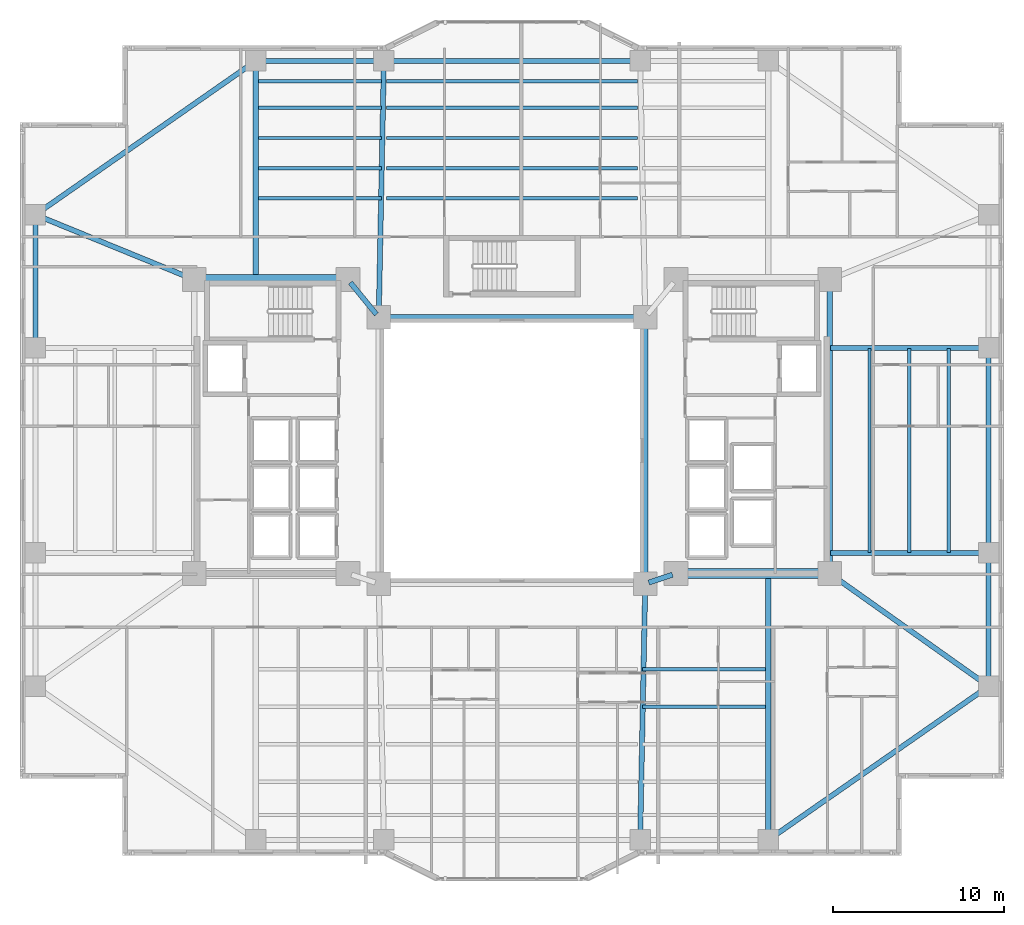
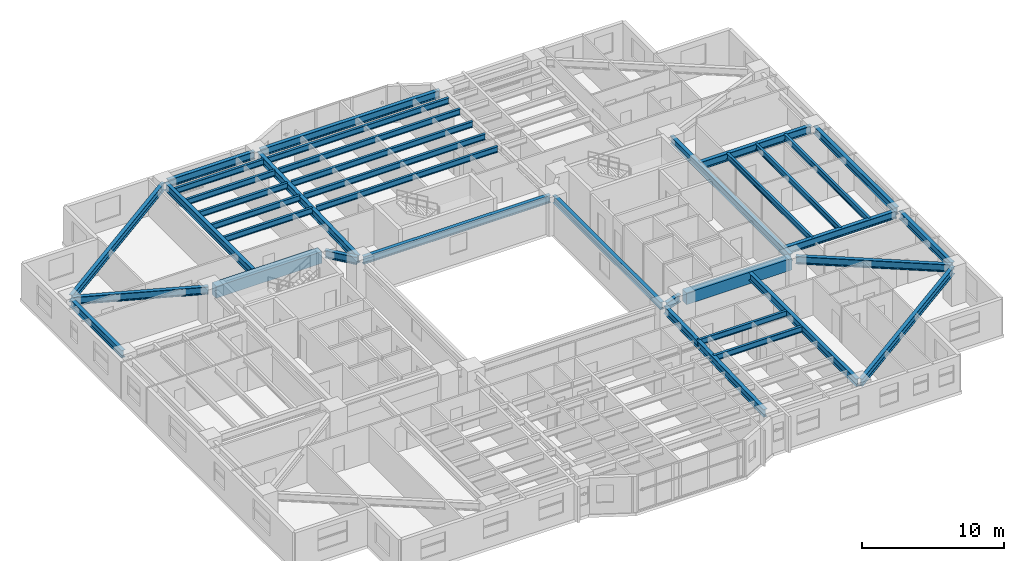
# One storey, part 5 of 21: 37 beams.
"""IFC4 building model written with IfcOpenShell, lengths in metres."""

from ifc_helpers import new_model, si_unit, direction, frame, origin, origin_2d, place, context, subcontext, project, spatial, rectangle, i_section, extrude, material, material_profile, profile_set, type_object, element, save


model = new_model("IFC4")

# Units and contexts
model_context = context("Model", 3, precision=1e-05, world=origin(), true_north=direction((0.0, 1.0)))
body_context = subcontext(model_context, "Body", "Model", "MODEL_VIEW")
ifc_project = project(units=[si_unit("LENGTHUNIT", "METRE"), si_unit("AREAUNIT", "SQUARE_METRE"), si_unit("VOLUMEUNIT", "CUBIC_METRE"), si_unit("PLANEANGLEUNIT", "RADIAN"), si_unit("MASSUNIT", "GRAM", prefix="KILO")], contexts=[model_context])

# Site, building, storey
site_placement = place(None, origin())
site = spatial("IfcSite", under=ifc_project, at=site_placement, CompositionType="ELEMENT")
building_placement = place(site_placement, origin())
building = spatial("IfcBuilding", under=site, at=building_placement, Name="Tarnavaz Court Tower", CompositionType="ELEMENT")
storey_placement = place(building_placement, frame((0.0, 0.0, 44.10009765625)))
storey = spatial("IfcBuildingStorey", under=building, at=storey_placement, Name="L11", CompositionType="ELEMENT", Elevation=44.10009765625)

# Beams
ifc_material_1 = material(Name="Concrete C60/75", Category="concrete")
ifc_material_profile_1 = material_profile(ifc_material_1, rectangle(XDim=0.60009765625, YDim=1.0, at=origin_2d()), Name="RC 600X1000")
ifc_profile_set_1 = profile_set([ifc_material_profile_1], Name="Concrete C60/75")
beam_type_1 = type_object("IfcBeamType", Name="BM-CB1000", PredefinedType="LINTEL", material=ifc_profile_set_1)
for number, where, z_axis, x_axis, name in (
    (1, (-18.3798828125, 10.0, 2.599853515625), (1.0, 0.0, 0.0), (0.0, 1.0, 0.0), "L11 Beam IN-CW-NO-CW-NI"),
    (2, (18.3798828125, -7.199951171875, 2.599853515625), (-1.0, 0.0, 0.0), (0.0, -1.0, 0.0), "L11 Beam IN-CE-SO-CE-SI"),
):
    element("IfcBeam", number, at=place(storey_placement, frame(where, z_axis=z_axis, x_axis=x_axis)), inside=storey, type_object=beam_type_1, Name=name, PredefinedType="LINTEL", context=body_context, shape_type="SweptSolid", body=[
        extrude(rectangle(XDim=0.60009765625, YDim=1.0, at=origin_2d()), origin(), (0.0, 0.0, 1.0), 8.559814453125),
    ])
ifc_material_2 = material(Name="Steel S355", Category="steel")
ifc_material_profile_2 = material_profile(ifc_material_2, i_section(OverallWidth=0.300048828125, OverallDepth=0.64990234375, WebThickness=0.01611328125, FlangeThickness=0.031005859375, FilletRadius=0.027099609375, at=origin_2d()), Name="HEB 650")
ifc_profile_set_2 = profile_set([ifc_material_profile_2], Name="Steel S355")
beam_type_2 = type_object("IfcBeamType", Name="BM-G-HEB650", PredefinedType="USERDEFINED", material=ifc_profile_set_2)
beam_1_placement = place(storey_placement, frame((9.391357421875, -7.26953125, 2.77490234375), z_axis=(-0.948666544706, -0.316278021615, 0.0), x_axis=(0.316278021615, -0.948666544706, 0.0)))
element("IfcBeam", 3, at=beam_1_placement, inside=storey, type_object=beam_type_2, Name="L11 Beam IN-CE-SI-IW-SE", ObjectType="GIRDER", PredefinedType="USERDEFINED", context=body_context, shape_type="SweptSolid", body=[
    extrude(i_section(OverallWidth=0.300048828125, OverallDepth=0.64990234375, WebThickness=0.01611328125, FlangeThickness=0.031005859375, FilletRadius=0.027099609375, at=origin_2d()), origin(), (0.0, 0.0, 1.0), 1.457275390625),
])
beam_2_placement = place(storey_placement, frame((-9.460693359375, 9.82958984375, 2.77490234375), z_axis=(0.633282058357, -0.773921077735, 0.0), x_axis=(0.773921077735, 0.633282058357, 0.0)))
element("IfcBeam", 4, at=beam_2_placement, inside=storey, type_object=beam_type_2, Name="L11 Beam IN-CW-NI-IW-NW", ObjectType="GIRDER", PredefinedType="USERDEFINED", context=body_context, shape_type="SweptSolid", body=[
    extrude(i_section(OverallWidth=0.300048828125, OverallDepth=0.64990234375, WebThickness=0.01611328125, FlangeThickness=0.031005859375, FilletRadius=0.027099609375, at=origin_2d()), origin(), (0.0, 0.0, 1.0), 2.402587890625),
])
beam_3_placement = place(storey_placement, frame((18.60009765625, -6.97998046875, 2.77490234375), z_axis=(0.0, 1.0, 0.0), x_axis=(-1.0, 0.0, 0.0)))
element("IfcBeam", 5, at=beam_3_placement, inside=storey, type_object=beam_type_2, Name="L11 Beam IN-CE-SO-CE-NO", ObjectType="GIRDER", PredefinedType="USERDEFINED", context=body_context, shape_type="SweptSolid", body=[
    extrude(i_section(OverallWidth=0.300048828125, OverallDepth=0.64990234375, WebThickness=0.01611328125, FlangeThickness=0.031005859375, FilletRadius=0.027099609375, at=origin_2d()), origin(), (0.0, 0.0, 1.0), 16.760009765625),
])
beam_4_placement = place(storey_placement, frame((-15.0, 10.0400390625, 2.77490234375), z_axis=(0.0, 1.0, 0.0), x_axis=(-1.0, 0.0, 0.0)))
element("IfcBeam", 6, at=beam_4_placement, inside=storey, type_object=beam_type_2, Name="L11 Beam RG-01", ObjectType="GIRDER", PredefinedType="USERDEFINED", context=body_context, shape_type="SweptSolid", body=[
    extrude(i_section(OverallWidth=0.300048828125, OverallDepth=0.64990234375, WebThickness=0.01611328125, FlangeThickness=0.031005859375, FilletRadius=0.027099609375, at=origin_2d()), origin(), (0.0, 0.0, 1.0), 12.5400390625),
])
for number, where, z_axis, x_axis, name in (
    (7, (-7.795654296875, 8.02001953125, 2.77490234375), (0.020000023066, 0.999799979535, 0.0), (-0.999799979535, 0.020000023066, 0.0), "L11 Beam RG-02"),
    (8, (7.795654296875, -8.02001953125, 2.77490234375), (-0.020000023066, -0.999799979535, 0.0), (0.999799979535, -0.020000023066, 0.0), "L11 Beam RG-07"),
):
    element("IfcBeam", number, at=place(storey_placement, frame(where, z_axis=z_axis, x_axis=x_axis)), inside=storey, type_object=beam_type_2, Name=name, ObjectType="GIRDER", PredefinedType="USERDEFINED", context=body_context, shape_type="SweptSolid", body=[
        extrude(i_section(OverallWidth=0.300048828125, OverallDepth=0.64990234375, WebThickness=0.01611328125, FlangeThickness=0.031005859375, FilletRadius=0.027099609375, at=origin_2d()), origin(), (0.0, 0.0, 1.0), 14.56298828125),
    ])
beam_5_placement = place(storey_placement, frame((15.0, -7.239990234375, 2.77490234375), z_axis=(0.0, -1.0, 0.0), x_axis=(1.0, 0.0, 0.0)))
element("IfcBeam", 9, at=beam_5_placement, inside=storey, type_object=beam_type_2, Name="L11 Beam RG-08", ObjectType="GIRDER", PredefinedType="USERDEFINED", context=body_context, shape_type="SweptSolid", body=[
    extrude(i_section(OverallWidth=0.300048828125, OverallDepth=0.64990234375, WebThickness=0.01611328125, FlangeThickness=0.031005859375, FilletRadius=0.027099609375, at=origin_2d()), origin(), (0.0, 0.0, 1.0), 15.340087890625),
])
for number, where, z_axis, x_axis, name in (
    (10, (18.639892578125, -6.0, 2.77490234375), (1.0, 0.0, 0.0), (0.0, 1.0, 0.0), "L11 Beam RG-09"),
    (11, (18.639892578125, 6.0, 2.77490234375), (1.0, 0.0, 0.0), (0.0, 1.0, 0.0), "L11 Beam RG-10"),
):
    element("IfcBeam", number, at=place(storey_placement, frame(where, z_axis=z_axis, x_axis=x_axis)), inside=storey, type_object=beam_type_2, Name=name, ObjectType="GIRDER", PredefinedType="USERDEFINED", context=body_context, shape_type="SweptSolid", body=[
        extrude(i_section(OverallWidth=0.300048828125, OverallDepth=0.64990234375, WebThickness=0.01611328125, FlangeThickness=0.031005859375, FilletRadius=0.027099609375, at=origin_2d()), origin(), (0.0, 0.0, 1.0), 9.0400390625),
    ])
beam_6_placement = place(storey_placement, frame((18.779296875, -7.327392578125, 2.77490234375), z_axis=(0.815520027245, -0.578728852886, 0.0), x_axis=(0.578728852886, 0.815520027245, 0.0)))
element("IfcBeam", 12, at=beam_6_placement, inside=storey, type_object=beam_type_2, Name="L11 Beam RG-11", ObjectType="GIRDER", PredefinedType="USERDEFINED", context=body_context, shape_type="SweptSolid", body=[
    extrude(i_section(OverallWidth=0.300048828125, OverallDepth=0.64990234375, WebThickness=0.01611328125, FlangeThickness=0.031005859375, FilletRadius=0.027099609375, at=origin_2d()), origin(), (0.0, 0.0, 1.0), 10.964111328125),
])
beam_7_placement = place(storey_placement, frame((-18.8037109375, 10.083251953125, 2.77490234375), z_axis=(-0.925704761705, 0.378246869329, 0.0), x_axis=(-0.378246869329, -0.925704761705, 0.0)))
element("IfcBeam", 13, at=beam_7_placement, inside=storey, type_object=beam_type_2, Name="L11 Beam RG-16", ObjectType="GIRDER", PredefinedType="USERDEFINED", context=body_context, shape_type="SweptSolid", body=[
    extrude(i_section(OverallWidth=0.300048828125, OverallDepth=0.64990234375, WebThickness=0.01611328125, FlangeThickness=0.031005859375, FilletRadius=0.027099609375, at=origin_2d()), origin(), (0.0, 0.0, 1.0), 9.606201171875),
])
ifc_material_profile_3 = material_profile(ifc_material_2, i_section(OverallWidth=0.199951171875, OverallDepth=0.5, WebThickness=0.01025390625, FlangeThickness=0.01611328125, FilletRadius=0.02099609375, at=origin_2d()), Name="IPE 500")
ifc_profile_set_3 = profile_set([ifc_material_profile_3], Name="Steel S355")
beam_type_3 = type_object("IfcBeamType", Name="BM-J-IPE500", PredefinedType="JOIST", material=ifc_profile_set_3)
beam_8_placement = place(storey_placement, frame((-14.85009765625, 14.763916015625, 2.849853515625), z_axis=(1.0, 0.0, 0.0), x_axis=(0.0, 1.0, 0.0)))
element("IfcBeam", 14, at=beam_8_placement, inside=storey, type_object=beam_type_3, Name="L11 Beam JN1-1", PredefinedType="JOIST", context=body_context, shape_type="SweptSolid", body=[
    extrude(i_section(OverallWidth=0.199951171875, OverallDepth=0.5, WebThickness=0.01025390625, FlangeThickness=0.01611328125, FilletRadius=0.02099609375, at=origin_2d()), origin(), (0.0, 0.0, 1.0), 7.2001953125),
])
beam_9_placement = place(storey_placement, frame((-7.35009765625, 14.763916015625, 2.849853515625), z_axis=(1.0, 0.0, 0.0), x_axis=(0.0, 1.0, 0.0)))
element("IfcBeam", 15, at=beam_9_placement, inside=storey, type_object=beam_type_3, Name="L11 Beam JN1-2", PredefinedType="JOIST", context=body_context, shape_type="SweptSolid", body=[
    extrude(i_section(OverallWidth=0.199951171875, OverallDepth=0.5, WebThickness=0.01025390625, FlangeThickness=0.01611328125, FilletRadius=0.02099609375, at=origin_2d()), origin(), (0.0, 0.0, 1.0), 14.7001953125),
])
for number, where, z_axis, x_axis, name in (
    (16, (7.64990234375, -12.7958984375, 2.849853515625), (1.0, 0.0, 0.0), (0.0, 1.0, 0.0), "L11 Beam JS1-3"),
    (17, (-14.85009765625, 16.528076171875, 2.849853515625), (1.0, 0.0, 0.0), (0.0, 1.0, 0.0), "L11 Beam JN2-1"),
):
    element("IfcBeam", number, at=place(storey_placement, frame(where, z_axis=z_axis, x_axis=x_axis)), inside=storey, type_object=beam_type_3, Name=name, PredefinedType="JOIST", context=body_context, shape_type="SweptSolid", body=[
        extrude(i_section(OverallWidth=0.199951171875, OverallDepth=0.5, WebThickness=0.01025390625, FlangeThickness=0.01611328125, FilletRadius=0.02099609375, at=origin_2d()), origin(), (0.0, 0.0, 1.0), 7.2001953125),
    ])
beam_10_placement = place(storey_placement, frame((-7.35009765625, 16.528076171875, 2.849853515625), z_axis=(1.0, 0.0, 0.0), x_axis=(0.0, 1.0, 0.0)))
element("IfcBeam", 18, at=beam_10_placement, inside=storey, type_object=beam_type_3, Name="L11 Beam JN2-2", PredefinedType="JOIST", context=body_context, shape_type="SweptSolid", body=[
    extrude(i_section(OverallWidth=0.199951171875, OverallDepth=0.5, WebThickness=0.01025390625, FlangeThickness=0.01611328125, FilletRadius=0.02099609375, at=origin_2d()), origin(), (0.0, 0.0, 1.0), 14.7001953125),
])
for number, where, z_axis, x_axis, name in (
    (19, (7.64990234375, -14.991943359375, 2.849853515625), (1.0, 0.0, 0.0), (0.0, 1.0, 0.0), "L11 Beam JS2-3"),
    (20, (-14.85009765625, 18.2919921875, 2.849853515625), (1.0, 0.0, 0.0), (0.0, 1.0, 0.0), "L11 Beam JN3-1"),
):
    element("IfcBeam", number, at=place(storey_placement, frame(where, z_axis=z_axis, x_axis=x_axis)), inside=storey, type_object=beam_type_3, Name=name, PredefinedType="JOIST", context=body_context, shape_type="SweptSolid", body=[
        extrude(i_section(OverallWidth=0.199951171875, OverallDepth=0.5, WebThickness=0.01025390625, FlangeThickness=0.01611328125, FilletRadius=0.02099609375, at=origin_2d()), origin(), (0.0, 0.0, 1.0), 7.2001953125),
    ])
beam_11_placement = place(storey_placement, frame((-7.35009765625, 18.2919921875, 2.849853515625), z_axis=(1.0, 0.0, 0.0), x_axis=(0.0, 1.0, 0.0)))
element("IfcBeam", 21, at=beam_11_placement, inside=storey, type_object=beam_type_3, Name="L11 Beam JN3-2", PredefinedType="JOIST", context=body_context, shape_type="SweptSolid", body=[
    extrude(i_section(OverallWidth=0.199951171875, OverallDepth=0.5, WebThickness=0.01025390625, FlangeThickness=0.01611328125, FilletRadius=0.02099609375, at=origin_2d()), origin(), (0.0, 0.0, 1.0), 14.7001953125),
])
beam_12_placement = place(storey_placement, frame((-14.85009765625, 20.055908203125, 2.849853515625), z_axis=(1.0, 0.0, 0.0), x_axis=(0.0, 1.0, 0.0)))
element("IfcBeam", 22, at=beam_12_placement, inside=storey, type_object=beam_type_3, Name="L11 Beam JN4-1", PredefinedType="JOIST", context=body_context, shape_type="SweptSolid", body=[
    extrude(i_section(OverallWidth=0.199951171875, OverallDepth=0.5, WebThickness=0.01025390625, FlangeThickness=0.01611328125, FilletRadius=0.02099609375, at=origin_2d()), origin(), (0.0, 0.0, 1.0), 7.2001953125),
])
beam_13_placement = place(storey_placement, frame((-7.35009765625, 20.055908203125, 2.849853515625), z_axis=(1.0, 0.0, 0.0), x_axis=(0.0, 1.0, 0.0)))
element("IfcBeam", 23, at=beam_13_placement, inside=storey, type_object=beam_type_3, Name="L11 Beam JN4-2", PredefinedType="JOIST", context=body_context, shape_type="SweptSolid", body=[
    extrude(i_section(OverallWidth=0.199951171875, OverallDepth=0.5, WebThickness=0.01025390625, FlangeThickness=0.01611328125, FilletRadius=0.02099609375, at=origin_2d()), origin(), (0.0, 0.0, 1.0), 14.7001953125),
])
beam_14_placement = place(storey_placement, frame((-14.85009765625, 21.6240234375, 2.849853515625), z_axis=(1.0, 0.0, 0.0), x_axis=(0.0, 1.0, 0.0)))
element("IfcBeam", 24, at=beam_14_placement, inside=storey, type_object=beam_type_3, Name="L11 Beam JN5-1", PredefinedType="JOIST", context=body_context, shape_type="SweptSolid", body=[
    extrude(i_section(OverallWidth=0.199951171875, OverallDepth=0.5, WebThickness=0.01025390625, FlangeThickness=0.01611328125, FilletRadius=0.02099609375, at=origin_2d()), origin(), (0.0, 0.0, 1.0), 7.2001953125),
])
beam_15_placement = place(storey_placement, frame((-7.35009765625, 21.6240234375, 2.849853515625), z_axis=(1.0, 0.0, 0.0), x_axis=(0.0, 1.0, 0.0)))
element("IfcBeam", 25, at=beam_15_placement, inside=storey, type_object=beam_type_3, Name="L11 Beam JN5-2", PredefinedType="JOIST", context=body_context, shape_type="SweptSolid", body=[
    extrude(i_section(OverallWidth=0.199951171875, OverallDepth=0.5, WebThickness=0.01025390625, FlangeThickness=0.01611328125, FilletRadius=0.02099609375, at=origin_2d()), origin(), (0.0, 0.0, 1.0), 14.7001953125),
])
for number, where, z_axis, x_axis, name in (
    (26, (20.925048828125, -5.9599609375, 2.849853515625), (0.0, 1.0, 0.0), (-1.0, 0.0, 0.0), "L11 Beam JE1"),
    (27, (23.25, -5.9599609375, 2.849853515625), (0.0, 1.0, 0.0), (-1.0, 0.0, 0.0), "L11 Beam JE2"),
    (28, (25.574951171875, -5.9599609375, 2.849853515625), (0.0, 1.0, 0.0), (-1.0, 0.0, 0.0), "L11 Beam JE3"),
):
    element("IfcBeam", number, at=place(storey_placement, frame(where, z_axis=z_axis, x_axis=x_axis)), inside=storey, type_object=beam_type_3, Name=name, PredefinedType="JOIST", context=body_context, shape_type="SweptSolid", body=[
        extrude(i_section(OverallWidth=0.199951171875, OverallDepth=0.5, WebThickness=0.01025390625, FlangeThickness=0.01611328125, FilletRadius=0.02099609375, at=origin_2d()), origin(), (0.0, 0.0, 1.0), 11.919921875),
    ])
ifc_material_profile_4 = material_profile(ifc_material_2, i_section(OverallWidth=0.300048828125, OverallDepth=0.639892578125, WebThickness=0.013427734375, FlangeThickness=0.02587890625, FilletRadius=0.027099609375, at=origin_2d()), Name="HEA 650")
ifc_profile_set_4 = profile_set([ifc_material_profile_4], Name="Steel S355")
beam_type_4 = type_object("IfcBeamType", Name="BM-SP-HEA650", PredefinedType="SPANDREL", material=ifc_profile_set_4)
for number, where, z_axis, x_axis, name in (
    (29, (-7.580078125, 7.800048828125, 2.77978515625), (1.0, 0.0, 0.0), (0.0, 1.0, 0.0), "L11 Beam IN-IW-NW-IW-NE"),
    (30, (7.800048828125, -7.580078125, 2.77978515625), (0.0, 1.0, 0.0), (-1.0, 0.0, 0.0), "L11 Beam IN-IW-SE-IW-NE"),
):
    element("IfcBeam", number, at=place(storey_placement, frame(where, z_axis=z_axis, x_axis=x_axis)), inside=storey, type_object=beam_type_4, Name=name, PredefinedType="SPANDREL", context=body_context, shape_type="SweptSolid", body=[
        extrude(i_section(OverallWidth=0.300048828125, OverallDepth=0.639892578125, WebThickness=0.013427734375, FlangeThickness=0.02587890625, FilletRadius=0.027099609375, at=origin_2d()), origin(), (0.0, 0.0, 1.0), 15.16015625),
    ])
beam_16_placement = place(storey_placement, frame((-14.780029296875, 22.800048828125, 2.77978515625), z_axis=(1.0, 0.0, 0.0), x_axis=(0.0, 1.0, 0.0)))
element("IfcBeam", 31, at=beam_16_placement, inside=storey, type_object=beam_type_4, Name="L11 Beam PR-PN-1-PN-2", PredefinedType="SPANDREL", context=body_context, shape_type="SweptSolid", body=[
    extrude(i_section(OverallWidth=0.300048828125, OverallDepth=0.639892578125, WebThickness=0.013427734375, FlangeThickness=0.02587890625, FilletRadius=0.027099609375, at=origin_2d()), origin(), (0.0, 0.0, 1.0), 7.06005859375),
])
beam_17_placement = place(storey_placement, frame((-7.280029296875, 22.800048828125, 2.77978515625), z_axis=(1.0, 0.0, 0.0), x_axis=(0.0, 1.0, 0.0)))
element("IfcBeam", 32, at=beam_17_placement, inside=storey, type_object=beam_type_4, Name="L11 Beam PR-PN-2-PN-3", PredefinedType="SPANDREL", context=body_context, shape_type="SweptSolid", body=[
    extrude(i_section(OverallWidth=0.300048828125, OverallDepth=0.639892578125, WebThickness=0.013427734375, FlangeThickness=0.02587890625, FilletRadius=0.027099609375, at=origin_2d()), origin(), (0.0, 0.0, 1.0), 14.56005859375),
])
beam_18_placement = place(storey_placement, frame((27.89990234375, -13.580078125, 2.77978515625), z_axis=(0.0, 1.0, 0.0), x_axis=(-1.0, 0.0, 0.0)))
element("IfcBeam", 33, at=beam_18_placement, inside=storey, type_object=beam_type_4, Name="L11 Beam PR-PE-1-PE-2", PredefinedType="SPANDREL", context=body_context, shape_type="SweptSolid", body=[
    extrude(i_section(OverallWidth=0.300048828125, OverallDepth=0.639892578125, WebThickness=0.013427734375, FlangeThickness=0.02587890625, FilletRadius=0.027099609375, at=origin_2d()), origin(), (0.0, 0.0, 1.0), 7.360107421875),
])
beam_19_placement = place(storey_placement, frame((27.89990234375, -5.780029296875, 2.77978515625), z_axis=(0.0, 1.0, 0.0), x_axis=(-1.0, 0.0, 0.0)))
element("IfcBeam", 34, at=beam_19_placement, inside=storey, type_object=beam_type_4, Name="L11 Beam PR-PE-2-PE-3", PredefinedType="SPANDREL", context=body_context, shape_type="SweptSolid", body=[
    extrude(i_section(OverallWidth=0.300048828125, OverallDepth=0.639892578125, WebThickness=0.013427734375, FlangeThickness=0.02587890625, FilletRadius=0.027099609375, at=origin_2d()), origin(), (0.0, 0.0, 1.0), 11.56005859375),
])
beam_20_placement = place(storey_placement, frame((-27.89990234375, 6.219970703125, 2.77978515625), z_axis=(0.0, 1.0, 0.0), x_axis=(-1.0, 0.0, 0.0)))
element("IfcBeam", 35, at=beam_20_placement, inside=storey, type_object=beam_type_4, Name="L11 Beam PR-PW-3-PW-4", PredefinedType="SPANDREL", context=body_context, shape_type="SweptSolid", body=[
    extrude(i_section(OverallWidth=0.300048828125, OverallDepth=0.639892578125, WebThickness=0.013427734375, FlangeThickness=0.02587890625, FilletRadius=0.027099609375, at=origin_2d()), origin(), (0.0, 0.0, 1.0), 7.360107421875),
])
for number, where, z_axis, x_axis, name in (
    (36, (27.719482421875, -13.92578125, 2.77978515625), (-0.820123643324, -0.572186341729, 0.0), (0.572186341729, -0.820123643324, 0.0), "L11 Beam PR-PE-1-PS-4"),
    (37, (-27.719482421875, 13.92578125, 2.77978515625), (0.820123643324, 0.572186341729, 0.0), (-0.572186341729, 0.820123643324, 0.0), "L11 Beam PR-PW-4-PN-1"),
):
    element("IfcBeam", number, at=place(storey_placement, frame(where, z_axis=z_axis, x_axis=x_axis)), inside=storey, type_object=beam_type_4, Name=name, PredefinedType="SPANDREL", context=body_context, shape_type="SweptSolid", body=[
        extrude(i_section(OverallWidth=0.300048828125, OverallDepth=0.639892578125, WebThickness=0.013427734375, FlangeThickness=0.02587890625, FilletRadius=0.027099609375, at=origin_2d()), origin(), (0.0, 0.0, 1.0), 15.289306640625),
    ])

save(model, "model.ifc")
